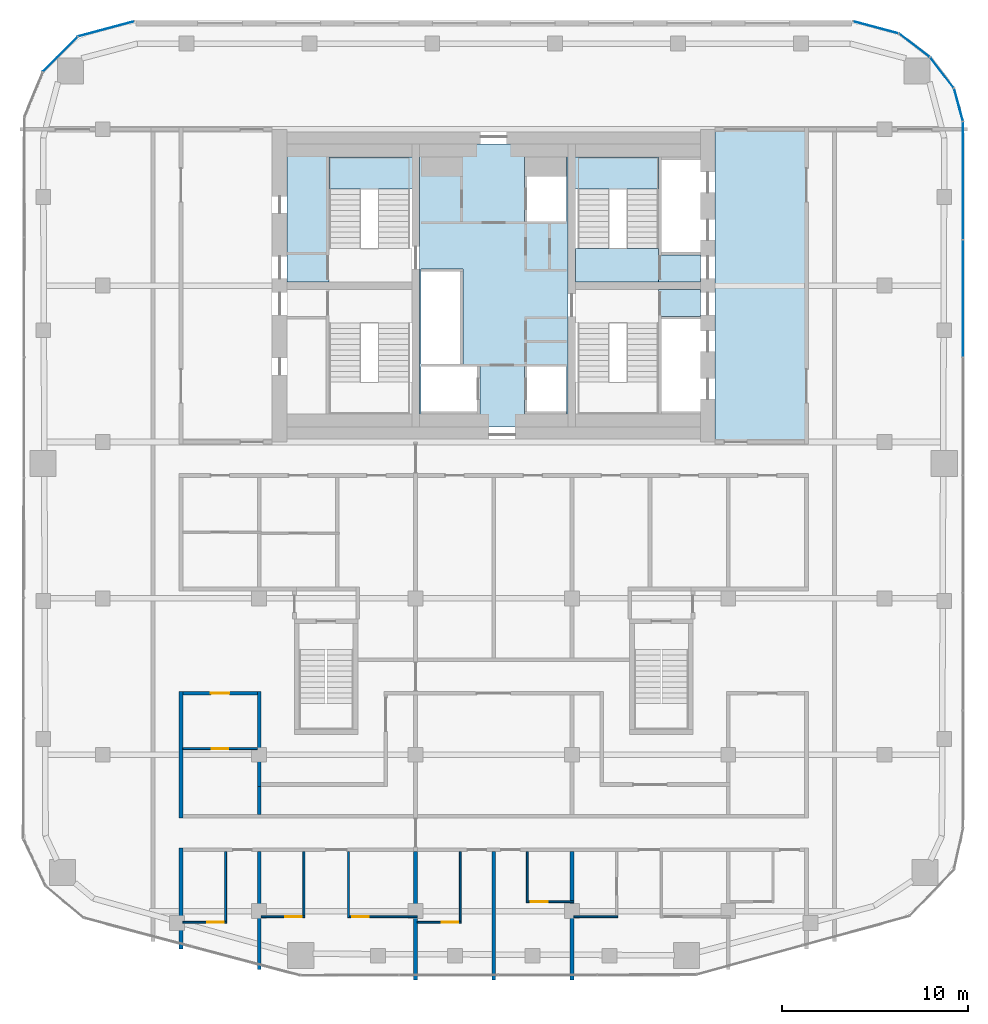
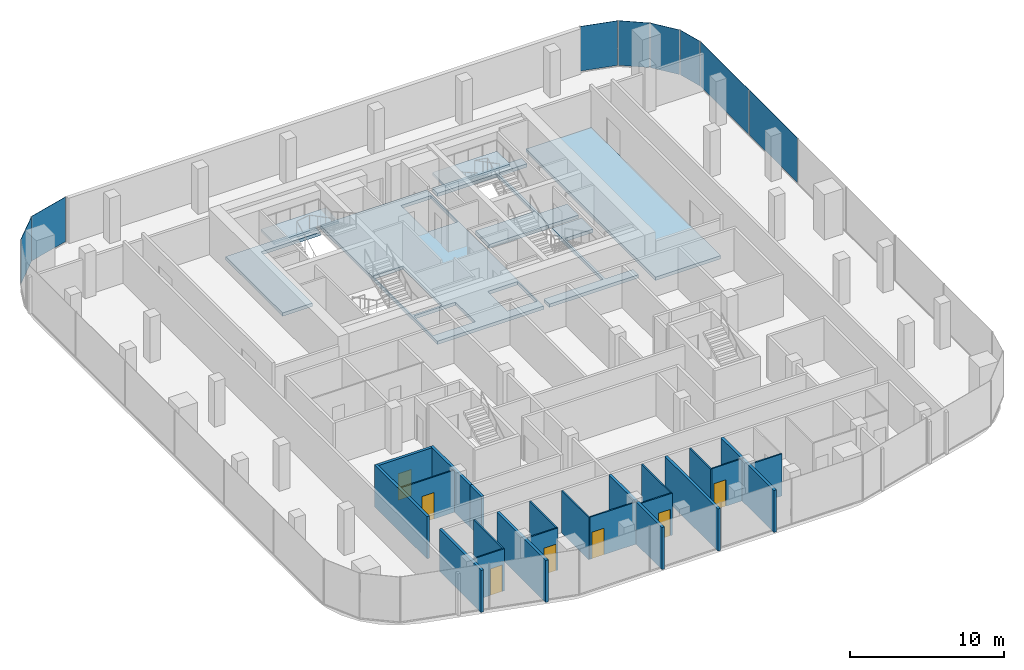
# One storey, part 13 of 20: 21 walls, 8 plates, 8 slabs, 7 doors, 7 openings, 9 elements without a shape of their own.
"""IFC4 building model written with IfcOpenShell, lengths in metres."""

from ifc_helpers import new_model, si_unit, direction, frame, frame_2d, origin, origin_2d, place, context, subcontext, project, spatial, polyline, rectangle, outline, extrude, material, layer, layer_set, type_object, element, fill, aggregate, save


model = new_model("IFC4")

# Units and contexts
model_context = context("Model", 3, precision=1e-05, world=origin(), true_north=direction((0.0, 1.0)))
body_context = subcontext(model_context, "Body", "Model", "MODEL_VIEW")
ifc_project = project(units=[si_unit("LENGTHUNIT", "METRE"), si_unit("AREAUNIT", "SQUARE_METRE"), si_unit("VOLUMEUNIT", "CUBIC_METRE"), si_unit("PLANEANGLEUNIT", "RADIAN"), si_unit("MASSUNIT", "GRAM", prefix="KILO")], contexts=[model_context])

# Site, building, storey
site_placement = place(None, origin())
site = spatial("IfcSite", under=ifc_project, at=site_placement, CompositionType="ELEMENT")
building_placement = place(site_placement, origin())
building = spatial("IfcBuilding", under=site, at=building_placement, Name="Marenta Gate Hotel Tower", CompositionType="ELEMENT")
storey_placement = place(building_placement, frame((0.0, 0.0, 216.5)))
storey = spatial("IfcBuildingStorey", under=building, at=storey_placement, Name="L50", CompositionType="ELEMENT", Elevation=216.5)

# Slabs
ifc_material_1 = material(Name="Concrete C40", Category="concrete")
ifc_layer_1 = layer(ifc_material_1, 0.260009765625)
ifc_layer_set_1 = layer_set([ifc_layer_1], Name="Concrete C40")
slab_type_1 = type_object("IfcSlabType", Name="Core floor slab 260", PredefinedType="FLOOR", material=ifc_layer_set_1)
slab_1_placement = place(storey_placement, frame((0.0, 0.0, -0.260009765625)))
element("IfcSlab", 1, at=slab_1_placement, inside=storey, type_object=slab_type_1, Name="L50-CF-1", PredefinedType="FLOOR", context=body_context, shape_type="SweptSolid", body=[
    extrude(outline(polyline([(11.89990234375, 0.0), (11.89990234375, 16.800048828125), (16.800048828125, 16.800048828125), (16.800048828125, 0.0), (11.89990234375, 0.0)])), origin(), (0.0, 0.0, 1.0), 0.260009765625),
])
slab_2_placement = place(storey_placement, frame((0.0, 0.0, -0.260009765625)))
element("IfcSlab", 2, at=slab_2_placement, inside=storey, type_object=slab_type_1, Name="L50-CF-2", PredefinedType="FLOOR", context=body_context, shape_type="SweptSolid", body=[
    extrude(outline(polyline([(8.85009765625, 1.5), (8.85009765625, 6.39990234375), (8.85009765625, 8.10009765625), (8.85009765625, 8.199951171875), (11.10009765625, 8.199951171875), (11.10009765625, 6.75), (9.0, 6.75), (9.0, 6.60009765625), (9.0, 4.199951171875), (9.0, 4.050048828125), (9.0, 1.64990234375), (9.0, 1.5), (11.10009765625, 1.5), (11.10009765625, 0.800048828125), (4.39990234375, 0.800048828125), (4.39990234375, 1.5), (8.85009765625, 1.5)])), origin(), (0.0, 0.0, 1.0), 0.260009765625),
])
slab_3_placement = place(storey_placement, frame((0.0, 0.0, -0.260009765625)))
element("IfcSlab", 3, at=slab_3_placement, inside=storey, type_object=slab_type_1, Name="L50-CF-3", PredefinedType="FLOOR", context=body_context, shape_type="SweptSolid", body=[
    extrude(outline(polyline([(8.85009765625, 15.300048828125), (4.39990234375, 15.300048828125), (4.39990234375, 16.0), (11.10009765625, 16.0), (11.10009765625, 15.300048828125), (9.0, 15.300048828125), (9.0, 15.14990234375), (9.0, 12.75), (9.0, 12.60009765625), (9.0, 10.199951171875), (9.0, 10.050048828125), (11.10009765625, 10.050048828125), (11.10009765625, 8.60009765625), (8.85009765625, 8.60009765625), (8.85009765625, 8.699951171875), (8.85009765625, 10.39990234375), (8.85009765625, 15.300048828125)])), origin(), (0.0, 0.0, 1.0), 0.260009765625),
])
slab_4_placement = place(storey_placement, frame((0.0, 0.0, -0.260009765625)))
element("IfcSlab", 4, at=slab_4_placement, inside=storey, type_object=slab_type_1, Name="L50-CF-4", PredefinedType="FLOOR", context=body_context, shape_type="SweptSolid", body=[
    extrude(outline(polyline([(4.0, 15.300048828125), (4.0, 10.39990234375), (4.0, 6.39990234375), (4.0, 1.5), (4.0, 0.800048828125), (-4.0, 0.800048828125), (-4.0, 1.5), (-4.0, 6.39990234375), (-4.0, 10.39990234375), (-4.0, 15.300048828125), (-4.0, 16.0), (4.0, 16.0), (4.0, 15.300048828125)]), holes=[polyline([(1.64990234375, 14.25), (1.64990234375, 11.85009765625), (1.800048828125, 11.85009765625), (3.89990234375, 11.85009765625), (3.89990234375, 14.25), (3.89990234375, 15.300048828125), (1.64990234375, 15.300048828125), (1.64990234375, 14.25)]), polyline([(3.89990234375, 1.64990234375), (3.89990234375, 4.050048828125), (1.800048828125, 4.050048828125), (1.64990234375, 4.050048828125), (1.64990234375, 1.64990234375), (1.64990234375, 1.5), (3.89990234375, 1.5), (3.89990234375, 1.64990234375)]), polyline([(-3.89990234375, 1.64990234375), (-3.89990234375, 1.5), (-0.89990234375, 1.5), (-0.75, 1.5), (-0.75, 4.050048828125), (-0.89990234375, 4.050048828125), (-3.89990234375, 4.050048828125), (-3.89990234375, 1.64990234375)]), polyline([(-1.800048828125, 4.199951171875), (-1.64990234375, 4.199951171875), (-1.64990234375, 9.14990234375), (-1.64990234375, 9.300048828125), (-3.89990234375, 9.300048828125), (-3.89990234375, 9.14990234375), (-3.89990234375, 6.75), (-3.89990234375, 6.60009765625), (-3.89990234375, 4.199951171875), (-1.800048828125, 4.199951171875)])]), origin(), (0.0, 0.0, 1.0), 0.260009765625),
])
slab_5_placement = place(storey_placement, frame((0.0, 0.0, -0.260009765625)))
element("IfcSlab", 5, at=slab_5_placement, inside=storey, type_object=slab_type_1, Name="L50-CF-6", PredefinedType="FLOOR", context=body_context, shape_type="SweptSolid", body=[
    extrude(outline(polyline([(-4.39990234375, 15.300048828125), (-8.85009765625, 15.300048828125), (-8.85009765625, 10.39990234375), (-8.85009765625, 8.699951171875), (-8.85009765625, 8.60009765625), (-11.10009765625, 8.60009765625), (-11.10009765625, 16.0), (-4.39990234375, 16.0), (-4.39990234375, 15.300048828125)])), origin(), (0.0, 0.0, 1.0), 0.260009765625),
])

# Stair, slab
ifc_material_2 = material(Name="Concrete C40", Category="concrete")
stair_type = type_object("IfcStairType", Name="Core exit stair 1700 wide", PredefinedType="HALF_TURN_STAIR", material=ifc_material_2)
stair_1_placement = place(storey_placement, origin())
stair_1 = element("IfcStair", 6, at=stair_1_placement, inside=storey, type_object=stair_type, Name="Exit stair 2", PredefinedType="HALF_TURN_STAIR")
ifc_material_3 = material(Name="Concrete C40", Category="concrete")
ifc_layer_2 = layer(ifc_material_3, 0.199951171875)
ifc_layer_set_2 = layer_set([ifc_layer_2], Name="Concrete C40")
slab_type_2 = type_object("IfcSlabType", Name="Core stair landing 200", PredefinedType="LANDING", material=ifc_layer_set_2)
slab_6_placement = place(storey_placement, frame((0.0, 0.0, 1.60009765625)))
slab_6 = element("IfcSlab", 7, at=slab_6_placement, type_object=slab_type_2, Name="SL-200 ST2 landing 1", PredefinedType="LANDING", context=body_context, shape_type="SweptSolid", body=[
    extrude(outline(polyline([(-8.85009765625, 13.590087890625), (-4.0, 13.590087890625), (-4.0, 15.300048828125), (-8.85009765625, 15.300048828125), (-8.85009765625, 13.590087890625)])), origin(), (0.0, 0.0, 1.0), 0.199951171875),
])
aggregate(stair_1, [slab_6])

stair_2_placement = place(storey_placement, origin())
stair_2 = element("IfcStair", 8, at=stair_2_placement, inside=storey, type_object=stair_type, Name="Exit stair 4", PredefinedType="HALF_TURN_STAIR")
slab_7_placement = place(storey_placement, frame((0.0, 0.0, 1.60009765625)))
slab_7 = element("IfcSlab", 9, at=slab_7_placement, type_object=slab_type_2, Name="SL-200 ST4 landing 1", PredefinedType="LANDING", context=body_context, shape_type="SweptSolid", body=[
    extrude(outline(polyline([(4.0, 13.590087890625), (8.85009765625, 13.590087890625), (8.85009765625, 15.300048828125), (4.0, 15.300048828125), (4.0, 13.590087890625)])), origin(), (0.0, 0.0, 1.0), 0.199951171875),
])
aggregate(stair_2, [slab_7])

# Curtain wall, plate
ifc_material_4 = material(Name="Tinted insulated glass in bronze anodised frame", Category="glass")
ifc_layer_3 = layer(ifc_material_4, 0.1201171875)
ifc_layer_set_3 = layer_set([ifc_layer_3], Name="Tinted insulated glass in bronze anodised frame")
curtain_wall_type = type_object("IfcCurtainWallType", Name="Tower unitised curtain wall CW1", PredefinedType="NOTDEFINED", material=ifc_layer_set_3)
curtain_wall_1_placement = place(storey_placement, origin())
curtain_wall_1 = element("IfcCurtainWall", 10, at=curtain_wall_1_placement, inside=storey, type_object=curtain_wall_type, Name="CW1 run G00", PredefinedType="NOTDEFINED")
ifc_material_5 = material(Name="Tinted insulated glass", Category="glass")
ifc_layer_4 = layer(ifc_material_5, 0.028076171875)
ifc_layer_set_4 = layer_set([ifc_layer_4], Name="Tinted insulated glass")
plate_type = type_object("IfcPlateType", Name="Glass panel CW1 28 mm tinted insulated unit", PredefinedType="CURTAIN_PANEL", material=ifc_layer_set_4)
plate_1_placement = place(storey_placement, frame((-20.813720703125, 22.19384765625, 0.06005859375), z_axis=(0.0, 0.0, 1.0), x_axis=(-0.965930559685, -0.258801379183, 0.0)))
plate_1 = element("IfcPlate", 11, at=plate_1_placement, type_object=plate_type, Name="CW1 panel 1.1", PredefinedType="CURTAIN_PANEL", context=body_context, shape_type="SweptSolid", body=[
    extrude(rectangle(XDim=3.104248046875, YDim=0.028076171875, at=origin_2d()), origin(), (0.0, 0.0, 1.0), 3.5400390625),
])
aggregate(curtain_wall_1, [plate_1])

curtain_wall_2_placement = place(storey_placement, origin())
curtain_wall_2 = element("IfcCurtainWall", 12, at=curtain_wall_2_placement, inside=storey, type_object=curtain_wall_type, Name="CW1 run G01", PredefinedType="NOTDEFINED")
plate_2_placement = place(storey_placement, frame((-23.279541015625, 20.825439453125, 0.06005859375), z_axis=(0.0, 0.0, 1.0), x_axis=(-0.707106781187, -0.707106781187, 0.0)))
plate_2 = element("IfcPlate", 13, at=plate_2_placement, type_object=plate_type, Name="CW1 panel 1.1", PredefinedType="CURTAIN_PANEL", context=body_context, shape_type="SweptSolid", body=[
    extrude(rectangle(XDim=2.614013671875, YDim=0.028076171875, at=origin_2d()), origin(), (0.0, 0.0, 1.0), 3.5400390625),
])
aggregate(curtain_wall_2, [plate_2])

# Curtain wall, plates
curtain_wall_3_placement = place(storey_placement, origin())
curtain_wall_3 = element("IfcCurtainWall", 14, at=curtain_wall_3_placement, inside=storey, type_object=curtain_wall_type, Name="CW1 run G11", PredefinedType="NOTDEFINED")
plate_3_placement = place(storey_placement, frame((25.214111328125, 7.7080078125, 0.06005859375), z_axis=(0.0, 0.0, 1.0), x_axis=(0.0, 1.0, 0.0)))
plate_3 = element("IfcPlate", 15, at=plate_3_placement, type_object=plate_type, Name="CW1 panel 5.1", PredefinedType="CURTAIN_PANEL", context=body_context, shape_type="SweptSolid", body=[
    extrude(rectangle(XDim=6.2626953125, YDim=0.028076171875, at=origin_2d()), origin(), (0.0, 0.0, 1.0), 3.5400390625),
])
plate_4_placement = place(storey_placement, frame((25.214111328125, 14.045654296875, 0.06005859375), z_axis=(0.0, 0.0, 1.0), x_axis=(0.0, 1.0, 0.0)))
plate_4 = element("IfcPlate", 16, at=plate_4_placement, type_object=plate_type, Name="CW1 panel 6.1", PredefinedType="CURTAIN_PANEL", context=body_context, shape_type="SweptSolid", body=[
    extrude(rectangle(XDim=6.29248046875, YDim=0.028076171875, at=origin_2d()), origin(), (0.0, 0.0, 1.0), 3.5400390625),
])
aggregate(curtain_wall_3, [plate_3, plate_4])

# Curtain wall, plate
curtain_wall_4_placement = place(storey_placement, origin())
curtain_wall_4 = element("IfcCurtainWall", 17, at=curtain_wall_4_placement, inside=storey, type_object=curtain_wall_type, Name="CW1 run G12", PredefinedType="NOTDEFINED")
plate_5_placement = place(storey_placement, frame((24.96630859375, 18.1162109375, 0.06005859375), z_axis=(0.0, 0.0, 1.0), x_axis=(-0.258824166754, 0.965924453932, 0.0)))
plate_5 = element("IfcPlate", 18, at=plate_5_placement, type_object=plate_type, Name="CW1 panel 1.1", PredefinedType="CURTAIN_PANEL", context=body_context, shape_type="SweptSolid", body=[
    extrude(rectangle(XDim=1.793701171875, YDim=0.028076171875, at=origin_2d()), origin(), (0.0, 0.0, 1.0), 3.5400390625),
])
aggregate(curtain_wall_4, [plate_5])

curtain_wall_5_placement = place(storey_placement, origin())
curtain_wall_5 = element("IfcCurtainWall", 19, at=curtain_wall_5_placement, inside=storey, type_object=curtain_wall_type, Name="CW1 run G13", PredefinedType="NOTDEFINED")
plate_6_placement = place(storey_placement, frame((24.0751953125, 19.84130859375, 0.06005859375), z_axis=(0.0, 0.0, 1.0), x_axis=(-0.608787499222, 0.793333335233, 0.0)))
plate_6 = element("IfcPlate", 20, at=plate_6_placement, type_object=plate_type, Name="CW1 panel 1.1", PredefinedType="CURTAIN_PANEL", context=body_context, shape_type="SweptSolid", body=[
    extrude(rectangle(XDim=2.045166015625, YDim=0.028076171875, at=origin_2d()), origin(), (0.0, 0.0, 1.0), 3.5400390625),
])
aggregate(curtain_wall_5, [plate_6])

curtain_wall_6_placement = place(storey_placement, origin())
curtain_wall_6 = element("IfcCurtainWall", 21, at=curtain_wall_6_placement, inside=storey, type_object=curtain_wall_type, Name="CW1 run G14", PredefinedType="NOTDEFINED")
plate_7_placement = place(storey_placement, frame((22.59375, 21.311767578125, 0.06005859375), z_axis=(0.0, 0.0, 1.0), x_axis=(-0.793333335233, 0.608787499222, 0.0)))
plate_7 = element("IfcPlate", 22, at=plate_7_placement, type_object=plate_type, Name="CW1 panel 1.1", PredefinedType="CURTAIN_PANEL", context=body_context, shape_type="SweptSolid", body=[
    extrude(rectangle(XDim=2.045166015625, YDim=0.028076171875, at=origin_2d()), origin(), (0.0, 0.0, 1.0), 3.5400390625),
])
aggregate(curtain_wall_6, [plate_7])

curtain_wall_7_placement = place(storey_placement, origin())
curtain_wall_7 = element("IfcCurtainWall", 23, at=curtain_wall_7_placement, inside=storey, type_object=curtain_wall_type, Name="CW1 run G15", PredefinedType="NOTDEFINED")
plate_8_placement = place(storey_placement, frame((20.51953125, 22.272705078125, 0.06005859375), z_axis=(0.0, 0.0, 1.0), x_axis=(-0.96592961764, 0.258804895175, 0.0)))
plate_8 = element("IfcPlate", 24, at=plate_8_placement, type_object=plate_type, Name="CW1 panel 1.1", PredefinedType="CURTAIN_PANEL", context=body_context, shape_type="SweptSolid", body=[
    extrude(rectangle(XDim=2.4951171875, YDim=0.028076171875, at=origin_2d()), origin(), (0.0, 0.0, 1.0), 3.5400390625),
])
aggregate(curtain_wall_7, [plate_8])

# Slab
ifc_material_6 = material(Name="Concrete C40", Category="concrete")
ifc_layer_5 = layer(ifc_material_6, 0.300048828125)
ifc_layer_set_5 = layer_set([ifc_layer_5], Name="Concrete C40")
slab_type_3 = type_object("IfcSlabType", Name="Stair floor landing slab 300", PredefinedType="FLOOR", material=ifc_layer_set_5)
slab_8_placement = place(storey_placement, frame((0.0, 0.0, -0.300048828125)))
element("IfcSlab", 25, at=slab_8_placement, inside=storey, type_object=slab_type_3, Name="L50-CL-ST4-1", PredefinedType="FLOOR", context=body_context, shape_type="SweptSolid", body=[
    extrude(outline(polyline([(4.39990234375, 8.60009765625), (4.39990234375, 10.39990234375), (8.85009765625, 10.39990234375), (8.85009765625, 8.699951171875), (8.85009765625, 8.60009765625), (4.39990234375, 8.60009765625)])), origin(), (0.0, 0.0, 1.0), 0.300048828125),
])

# Wall
ifc_material_7 = material(Name="Concrete blockwork", Category="masonry")
ifc_layer_6 = layer(ifc_material_7, 0.199951171875)
ifc_layer_set_6 = layer_set([ifc_layer_6], Name="Concrete blockwork")
wall_type_1 = type_object("IfcWallType", Name="Compartment wall 200 REI 180", PredefinedType="PARTITIONING", material=ifc_layer_set_6)
wall_1_placement = place(storey_placement, frame((-4.199951171875, -28.89990234375, 0.0), z_axis=(0.0, 0.0, 1.0), x_axis=(0.0, 1.0, 0.0)))
element("IfcWall", 26, at=wall_1_placement, inside=storey, type_object=wall_type_1, Name="L50-PTN-W047", PredefinedType="PARTITIONING", context=body_context, shape_type="SweptSolid", body=[
    extrude(rectangle(XDim=6.89990234375, YDim=0.199951171875, at=frame_2d((3.449951171875, 0.0))), origin(), (0.0, 0.0, 1.0), 3.340087890625),
])

# Wall, opening, door
ifc_material_8 = material(Name="Concrete blockwork", Category="masonry")
ifc_layer_7 = layer(ifc_material_8, 0.199951171875)
ifc_layer_set_7 = layer_set([ifc_layer_7], Name="Concrete blockwork")
wall_type_2 = type_object("IfcWallType", Name="Room corridor wall 200 EI 120", PredefinedType="PARTITIONING", material=ifc_layer_set_7)
wall_2_placement = place(storey_placement, frame((-16.699951171875, -13.5, 0.0), z_axis=(0.0, 0.0, 1.0), x_axis=(1.0, 0.0, 0.0)))
wall_2 = element("IfcWall", 27, at=wall_2_placement, inside=storey, type_object=wall_type_2, Name="L50-PTN-W019", PredefinedType="PARTITIONING", context=body_context, shape_type="SweptSolid", body=[
    extrude(rectangle(XDim=4.0, YDim=0.199951171875, at=frame_2d((2.0, 0.0))), origin(), (0.0, 0.0, 1.0), 3.340087890625),
])
opening_1_placement = place(wall_2_placement, frame((1.5, 0.0, 0.0)))
opening_1 = element("IfcOpeningElement", 28, at=opening_1_placement, cuts=wall_2, Name="Opening G18-11", PredefinedType="OPENING", context=body_context, shape_type="SweptSolid", body=[
    extrude(rectangle(XDim=1.0, YDim=2.10009765625, at=frame_2d((0.5, 1.050048828125))), frame((0.0, 0.10009765625, 0.0), z_axis=(0.0, -1.0, 0.0), x_axis=(1.0, 0.0, 0.0)), (0.0, 0.0, 1.0), 0.199951171875),
])
ifc_material_9 = material(Name="Hollow steel door set", Category="steel")
door_type_1 = type_object("IfcDoorType", Name="Room service door 1000x2100 EI 60", OperationType="NOTDEFINED", PredefinedType="DOOR", material=ifc_material_9)
door_1_placement = place(opening_1_placement, origin())
door_1 = element("IfcDoor", 29, at=door_1_placement, inside=storey, type_object=door_type_1, Name="L50-PD-D011", OperationType="SINGLE_SWING_LEFT", OverallHeight=2.10009765625, OverallWidth=1.0, PredefinedType="DOOR", context=body_context, shape_type="SweptSolid", body=[
    extrude(rectangle(XDim=1.0, YDim=2.10009765625, at=frame_2d((0.5, 1.050048828125))), frame((0.0, 0.02490234375, 0.0), z_axis=(0.0, -1.0, 0.0), x_axis=(1.0, 0.0, 0.0)), (0.0, 0.0, 1.0), 0.050048828125),
])
fill(opening_1, door_1)

# Walls
wall_3_placement = place(storey_placement, frame((-12.60009765625, -18.5, 0.0), z_axis=(0.0, 0.0, 1.0), x_axis=(0.0, 1.0, 0.0)))
element("IfcWall", 30, at=wall_3_placement, inside=storey, type_object=wall_type_2, Name="L50-PTN-W059", PredefinedType="PARTITIONING", context=body_context, shape_type="SweptSolid", body=[
    extrude(rectangle(XDim=5.10009765625, YDim=0.199951171875, at=frame_2d((2.550048828125, 0.0))), origin(), (0.0, 0.0, 1.0), 3.340087890625),
])
wall_4_placement = place(storey_placement, frame((-16.800048828125, -20.199951171875, 0.0), z_axis=(0.0, 0.0, 1.0), x_axis=(0.0, 1.0, 0.0)))
element("IfcWall", 31, at=wall_4_placement, inside=storey, type_object=wall_type_2, Name="L50-PTN-W062", PredefinedType="PARTITIONING", context=body_context, shape_type="SweptSolid", body=[
    extrude(rectangle(XDim=6.800048828125, YDim=0.199951171875, at=frame_2d((3.39990234375, 0.0))), origin(), (0.0, 0.0, 1.0), 3.340087890625),
])
ifc_material_10 = material(Name="Gypsum board on steel stud", Category="steel")
ifc_layer_8 = layer(ifc_material_10, 0.199951171875)
ifc_layer_set_8 = layer_set([ifc_layer_8], Name="Gypsum board on steel stud")
wall_type_3 = type_object("IfcWallType", Name="Room corridor wall 200 EI 60", PredefinedType="PARTITIONING", material=ifc_layer_set_8)
wall_5_placement = place(storey_placement, frame((-16.800048828125, -27.22900390625, 0.0), z_axis=(0.0, 0.0, 1.0), x_axis=(0.0, 1.0, 0.0)))
element("IfcWall", 32, at=wall_5_placement, inside=storey, type_object=wall_type_3, Name="L50-PTN-W061", PredefinedType="PARTITIONING", context=body_context, shape_type="SweptSolid", body=[
    extrude(rectangle(XDim=5.428955078125, YDim=0.199951171875, at=frame_2d((2.71435546875, 0.0))), origin(), (0.0, 0.0, 1.0), 3.340087890625),
])

# Wall, opening, door
ifc_material_11 = material(Name="Gypsum board on steel stud", Category="steel")
ifc_layer_9 = layer(ifc_material_11, 0.10009765625)
ifc_layer_set_9 = layer_set([ifc_layer_9], Name="Gypsum board on steel stud")
wall_type_4 = type_object("IfcWallType", Name="Room partition 100", PredefinedType="PARTITIONING", material=ifc_layer_set_9)
wall_6_placement = place(storey_placement, frame((-16.699951171875, -25.800048828125, 0.0), z_axis=(0.0, 0.0, 1.0), x_axis=(1.0, 0.0, 0.0)))
wall_6 = element("IfcWall", 33, at=wall_6_placement, inside=storey, type_object=wall_type_4, Name="L50-PTN-W001", PredefinedType="PARTITIONING", context=body_context, shape_type="SweptSolid", body=[
    extrude(rectangle(XDim=2.349853515625, YDim=0.10009765625, at=frame_2d((1.1748046875, 0.0))), origin(), (0.0, 0.0, 1.0), 3.340087890625),
])
opening_2_placement = place(wall_6_placement, frame((1.300048828125, 0.0, 0.0)))
opening_2 = element("IfcOpeningElement", 34, at=opening_2_placement, cuts=wall_6, Name="Opening G18-18", PredefinedType="OPENING", context=body_context, shape_type="SweptSolid", body=[
    extrude(rectangle(XDim=0.89990234375, YDim=2.10009765625, at=frame_2d((0.449951171875, 1.050048828125))), frame((0.0, 0.050048828125, 0.0), z_axis=(0.0, -1.0, 0.0), x_axis=(1.0, 0.0, 0.0)), (0.0, 0.0, 1.0), 0.10009765625),
])
ifc_material_12 = material(Name="Timber door leaf", Category="wood")
door_type_2 = type_object("IfcDoorType", Name="Guest bathroom door 900x2100", OperationType="NOTDEFINED", PredefinedType="DOOR", material=ifc_material_12)
door_2_placement = place(opening_2_placement, origin())
door_2 = element("IfcDoor", 35, at=door_2_placement, inside=storey, type_object=door_type_2, Name="L50-PD-D018", OperationType="SINGLE_SWING_RIGHT", OverallHeight=2.10009765625, OverallWidth=0.89990234375, PredefinedType="DOOR", context=body_context, shape_type="SweptSolid", body=[
    extrude(rectangle(XDim=0.89990234375, YDim=2.10009765625, at=frame_2d((0.449951171875, 1.050048828125))), frame((0.0, 0.02490234375, 0.0), z_axis=(0.0, -1.0, 0.0), x_axis=(1.0, 0.0, 0.0)), (0.0, 0.0, 1.0), 0.050048828125),
])
fill(opening_2, door_2)

wall_7_placement = place(storey_placement, frame((-4.10009765625, -25.800048828125, 0.0), z_axis=(0.0, 0.0, 1.0), x_axis=(1.0, 0.0, 0.0)))
wall_7 = element("IfcWall", 36, at=wall_7_placement, inside=storey, type_object=wall_type_4, Name="L50-PTN-W002", PredefinedType="PARTITIONING", context=body_context, shape_type="SweptSolid", body=[
    extrude(rectangle(XDim=2.35009765625, YDim=0.10009765625, at=frame_2d((1.175048828125, 0.0))), origin(), (0.0, 0.0, 1.0), 3.340087890625),
])
opening_3_placement = place(wall_7_placement, frame((1.300048828125, 0.0, 0.0)))
opening_3 = element("IfcOpeningElement", 37, at=opening_3_placement, cuts=wall_7, Name="Opening G18-23", PredefinedType="OPENING", context=body_context, shape_type="SweptSolid", body=[
    extrude(rectangle(XDim=0.89990234375, YDim=2.10009765625, at=frame_2d((0.449951171875, 1.050048828125))), frame((0.0, 0.050048828125, 0.0), z_axis=(0.0, -1.0, 0.0), x_axis=(1.0, 0.0, 0.0)), (0.0, 0.0, 1.0), 0.10009765625),
])
door_3_placement = place(opening_3_placement, origin())
door_3 = element("IfcDoor", 38, at=door_3_placement, inside=storey, type_object=door_type_2, Name="L50-PD-D023", OperationType="SINGLE_SWING_RIGHT", OverallHeight=2.10009765625, OverallWidth=0.89990234375, PredefinedType="DOOR", context=body_context, shape_type="SweptSolid", body=[
    extrude(rectangle(XDim=0.89990234375, YDim=2.10009765625, at=frame_2d((0.449951171875, 1.050048828125))), frame((0.0, 0.02490234375, 0.0), z_axis=(0.0, -1.0, 0.0), x_axis=(1.0, 0.0, 0.0)), (0.0, 0.0, 1.0), 0.050048828125),
])
fill(opening_3, door_3)

wall_8_placement = place(storey_placement, frame((-12.5, -25.5, 0.0), z_axis=(0.0, 0.0, 1.0), x_axis=(1.0, 0.0, 0.0)))
wall_8 = element("IfcWall", 39, at=wall_8_placement, inside=storey, type_object=wall_type_4, Name="L50-PTN-W003", PredefinedType="PARTITIONING", context=body_context, shape_type="SweptSolid", body=[
    extrude(rectangle(XDim=2.35009765625, YDim=0.10009765625, at=frame_2d((1.175048828125, 0.0))), origin(), (0.0, 0.0, 1.0), 3.340087890625),
])
opening_4_placement = place(wall_8_placement, frame((1.300048828125, 0.0, 0.0)))
opening_4 = element("IfcOpeningElement", 40, at=opening_4_placement, cuts=wall_8, Name="Opening G18-21", PredefinedType="OPENING", context=body_context, shape_type="SweptSolid", body=[
    extrude(rectangle(XDim=0.89990234375, YDim=2.10009765625, at=frame_2d((0.449951171875, 1.050048828125))), frame((0.0, 0.050048828125, 0.0), z_axis=(0.0, -1.0, 0.0), x_axis=(1.0, 0.0, 0.0)), (0.0, 0.0, 1.0), 0.10009765625),
])
ifc_material_13 = material(Name="Timber door leaf", Category="wood")
door_type_3 = type_object("IfcDoorType", Name="Room inner door 900x2100", OperationType="NOTDEFINED", PredefinedType="DOOR", material=ifc_material_13)
door_4_placement = place(opening_4_placement, origin())
door_4 = element("IfcDoor", 41, at=door_4_placement, inside=storey, type_object=door_type_3, Name="L50-PD-D021", OperationType="SINGLE_SWING_RIGHT", OverallHeight=2.10009765625, OverallWidth=0.89990234375, PredefinedType="DOOR", context=body_context, shape_type="SweptSolid", body=[
    extrude(rectangle(XDim=0.89990234375, YDim=2.10009765625, at=frame_2d((0.449951171875, 1.050048828125))), frame((0.0, 0.02490234375, 0.0), z_axis=(0.0, -1.0, 0.0), x_axis=(1.0, 0.0, 0.0)), (0.0, 0.0, 1.0), 0.050048828125),
])
fill(opening_4, door_4)

wall_9_placement = place(storey_placement, frame((-7.75, -25.5, 0.0), z_axis=(0.0, 0.0, 1.0), x_axis=(1.0, 0.0, 0.0)))
wall_9 = element("IfcWall", 42, at=wall_9_placement, inside=storey, type_object=wall_type_4, Name="L50-PTN-W004", PredefinedType="PARTITIONING", context=body_context, shape_type="SweptSolid", body=[
    extrude(rectangle(XDim=3.64990234375, YDim=0.10009765625, at=frame_2d((1.824951171875, 0.0))), origin(), (0.0, 0.0, 1.0), 3.340087890625),
])
opening_5_placement = place(wall_9_placement, frame((0.14990234375, 0.0, 0.0)))
opening_5 = element("IfcOpeningElement", 43, at=opening_5_placement, cuts=wall_9, Name="Opening G18-20", PredefinedType="OPENING", context=body_context, shape_type="SweptSolid", body=[
    extrude(rectangle(XDim=0.89990234375, YDim=2.10009765625, at=frame_2d((0.449951171875, 1.050048828125))), frame((0.0, 0.050048828125, 0.0), z_axis=(0.0, -1.0, 0.0), x_axis=(1.0, 0.0, 0.0)), (0.0, 0.0, 1.0), 0.10009765625),
])
door_5_placement = place(opening_5_placement, origin())
door_5 = element("IfcDoor", 44, at=door_5_placement, inside=storey, type_object=door_type_2, Name="L50-PD-D020", OperationType="SINGLE_SWING_LEFT", OverallHeight=2.10009765625, OverallWidth=0.89990234375, PredefinedType="DOOR", context=body_context, shape_type="SweptSolid", body=[
    extrude(rectangle(XDim=0.89990234375, YDim=2.10009765625, at=frame_2d((0.449951171875, 1.050048828125))), frame((0.0, 0.02490234375, 0.0), z_axis=(0.0, -1.0, 0.0), x_axis=(1.0, 0.0, 0.0)), (0.0, 0.0, 1.0), 0.050048828125),
])
fill(opening_5, door_5)

# Wall
wall_10_placement = place(storey_placement, frame((4.300048828125, -25.5, 0.0), z_axis=(0.0, 0.0, 1.0), x_axis=(1.0, 0.0, 0.0)))
element("IfcWall", 45, at=wall_10_placement, inside=storey, type_object=wall_type_4, Name="L50-PTN-W005", PredefinedType="PARTITIONING", context=body_context, shape_type="SweptSolid", body=[
    extrude(rectangle(XDim=2.349853515625, YDim=0.10009765625, at=frame_2d((1.1748046875, 0.0))), origin(), (0.0, 0.0, 1.0), 3.340087890625),
])

# Wall, opening, door
wall_11_placement = place(storey_placement, frame((1.85009765625, -24.699951171875, 0.0), z_axis=(0.0, 0.0, 1.0), x_axis=(1.0, 0.0, 0.0)))
wall_11 = element("IfcWall", 46, at=wall_11_placement, inside=storey, type_object=wall_type_4, Name="L50-PTN-W007", PredefinedType="PARTITIONING", context=body_context, shape_type="SweptSolid", body=[
    extrude(rectangle(XDim=2.449951171875, YDim=0.10009765625, at=frame_2d((1.22509765625, 0.0))), origin(), (0.0, 0.0, 1.0), 3.340087890625),
])
opening_6_placement = place(wall_11_placement, frame((0.14990234375, 0.0, 0.0)))
opening_6 = element("IfcOpeningElement", 47, at=opening_6_placement, cuts=wall_11, Name="Opening G18-25", PredefinedType="OPENING", context=body_context, shape_type="SweptSolid", body=[
    extrude(rectangle(XDim=0.89990234375, YDim=2.10009765625, at=frame_2d((0.449951171875, 1.050048828125))), frame((0.0, 0.050048828125, 0.0), z_axis=(0.0, -1.0, 0.0), x_axis=(1.0, 0.0, 0.0)), (0.0, 0.0, 1.0), 0.10009765625),
])
door_6_placement = place(opening_6_placement, origin())
door_6 = element("IfcDoor", 48, at=door_6_placement, inside=storey, type_object=door_type_2, Name="L50-PD-D025", OperationType="SINGLE_SWING_LEFT", OverallHeight=2.10009765625, OverallWidth=0.89990234375, PredefinedType="DOOR", context=body_context, shape_type="SweptSolid", body=[
    extrude(rectangle(XDim=0.89990234375, YDim=2.10009765625, at=frame_2d((0.449951171875, 1.050048828125))), frame((0.0, 0.02490234375, 0.0), z_axis=(0.0, -1.0, 0.0), x_axis=(1.0, 0.0, 0.0)), (0.0, 0.0, 1.0), 0.050048828125),
])
fill(opening_6, door_6)

wall_12_placement = place(storey_placement, frame((-16.699951171875, -16.469970703125, 0.0), z_axis=(0.0, 0.0, 1.0), x_axis=(1.0, 0.0, 0.0)))
wall_12 = element("IfcWall", 49, at=wall_12_placement, inside=storey, type_object=wall_type_4, Name="L50-PTN-W017", PredefinedType="PARTITIONING", context=body_context, shape_type="SweptSolid", body=[
    extrude(rectangle(XDim=4.0, YDim=0.10009765625, at=frame_2d((2.0, 0.0))), origin(), (0.0, 0.0, 1.0), 3.340087890625),
])
opening_7_placement = place(wall_12_placement, frame((1.550048828125, 0.0, 0.0)))
opening_7 = element("IfcOpeningElement", 50, at=opening_7_placement, cuts=wall_12, Name="Opening G18-12", PredefinedType="OPENING", context=body_context, shape_type="SweptSolid", body=[
    extrude(rectangle(XDim=0.89990234375, YDim=2.10009765625, at=frame_2d((0.449951171875, 1.050048828125))), frame((0.0, 0.050048828125, 0.0), z_axis=(0.0, -1.0, 0.0), x_axis=(1.0, 0.0, 0.0)), (0.0, 0.0, 1.0), 0.10009765625),
])
door_7_placement = place(opening_7_placement, origin())
door_7 = element("IfcDoor", 51, at=door_7_placement, inside=storey, type_object=door_type_3, Name="L50-PD-D012", OperationType="SINGLE_SWING_LEFT", OverallHeight=2.10009765625, OverallWidth=0.89990234375, PredefinedType="DOOR", context=body_context, shape_type="SweptSolid", body=[
    extrude(rectangle(XDim=0.89990234375, YDim=2.10009765625, at=frame_2d((0.449951171875, 1.050048828125))), frame((0.0, 0.02490234375, 0.0), z_axis=(0.0, -1.0, 0.0), x_axis=(1.0, 0.0, 0.0)), (0.0, 0.0, 1.0), 0.050048828125),
])
fill(opening_7, door_7)

# Walls
wall_13_placement = place(storey_placement, frame((1.800048828125, -24.75, 0.0), z_axis=(0.0, 0.0, 1.0), x_axis=(0.0, 1.0, 0.0)))
element("IfcWall", 52, at=wall_13_placement, inside=storey, type_object=wall_type_4, Name="L50-PTN-W042", PredefinedType="PARTITIONING", context=body_context, shape_type="SweptSolid", body=[
    extrude(rectangle(XDim=2.75, YDim=0.10009765625, at=frame_2d((1.375, 0.0))), origin(), (0.0, 0.0, 1.0), 3.340087890625),
])
wall_14_placement = place(storey_placement, frame((-1.800048828125, -25.75, 0.0), z_axis=(0.0, 0.0, 1.0), x_axis=(0.0, 1.0, 0.0)))
element("IfcWall", 53, at=wall_14_placement, inside=storey, type_object=wall_type_4, Name="L50-PTN-W046", PredefinedType="PARTITIONING", context=body_context, shape_type="SweptSolid", body=[
    extrude(rectangle(XDim=3.75, YDim=0.10009765625, at=frame_2d((1.875, 0.0))), origin(), (0.0, 0.0, 1.0), 3.340087890625),
])
wall_15_placement = place(storey_placement, frame((-7.800048828125, -25.550048828125, 0.0), z_axis=(0.0, 0.0, 1.0), x_axis=(0.0, 1.0, 0.0)))
element("IfcWall", 54, at=wall_15_placement, inside=storey, type_object=wall_type_4, Name="L50-PTN-W052", PredefinedType="PARTITIONING", context=body_context, shape_type="SweptSolid", body=[
    extrude(rectangle(XDim=3.550048828125, YDim=0.10009765625, at=frame_2d((1.77490234375, 0.0))), origin(), (0.0, 0.0, 1.0), 3.340087890625),
])
wall_16_placement = place(storey_placement, frame((-10.199951171875, -25.449951171875, 0.0), z_axis=(0.0, 0.0, 1.0), x_axis=(0.0, 1.0, 0.0)))
element("IfcWall", 55, at=wall_16_placement, inside=storey, type_object=wall_type_4, Name="L50-PTN-W054", PredefinedType="PARTITIONING", context=body_context, shape_type="SweptSolid", body=[
    extrude(rectangle(XDim=3.449951171875, YDim=0.10009765625, at=frame_2d((1.72509765625, 0.0))), origin(), (0.0, 0.0, 1.0), 3.340087890625),
])
wall_17_placement = place(storey_placement, frame((-14.39990234375, -25.75, 0.0), z_axis=(0.0, 0.0, 1.0), x_axis=(0.0, 1.0, 0.0)))
element("IfcWall", 56, at=wall_17_placement, inside=storey, type_object=wall_type_4, Name="L50-PTN-W060", PredefinedType="PARTITIONING", context=body_context, shape_type="SweptSolid", body=[
    extrude(rectangle(XDim=3.75, YDim=0.10009765625, at=frame_2d((1.875, 0.0))), origin(), (0.0, 0.0, 1.0), 3.340087890625),
])
ifc_material_14 = material(Name="Concrete blockwork", Category="masonry")
ifc_layer_10 = layer(ifc_material_14, 0.199951171875)
ifc_layer_set_10 = layer_set([ifc_layer_10], Name="Concrete blockwork")
wall_type_5 = type_object("IfcWallType", Name="Room party wall 200 EI 120", PredefinedType="PARTITIONING", material=ifc_layer_set_10)
wall_18_placement = place(storey_placement, frame((-12.60009765625, -20.0, 0.0), z_axis=(0.0, 0.0, 1.0), x_axis=(0.0, 1.0, 0.0)))
element("IfcWall", 57, at=wall_18_placement, inside=storey, type_object=wall_type_5, Name="L50-PTN-W057", PredefinedType="PARTITIONING", context=body_context, shape_type="SweptSolid", body=[
    extrude(rectangle(XDim=1.5, YDim=0.199951171875, at=frame_2d((0.75, 0.0))), origin(), (0.0, 0.0, 1.0), 3.340087890625),
])
ifc_material_15 = material(Name="Gypsum board on steel stud", Category="steel")
ifc_layer_11 = layer(ifc_material_15, 0.199951171875)
ifc_layer_set_11 = layer_set([ifc_layer_11], Name="Gypsum board on steel stud")
wall_type_6 = type_object("IfcWallType", Name="Room party wall 200 EI 60", PredefinedType="PARTITIONING", material=ifc_layer_set_11)
for number, where, z_axis, x_axis, name in (
    (58, (4.199951171875, -28.89990234375, 0.0), (0.0, 0.0, 1.0), (0.0, 1.0, 0.0), "L50-PTN-W039"),
    (59, (0.0, -28.89990234375, 0.0), (0.0, 0.0, 1.0), (0.0, 1.0, 0.0), "L50-PTN-W044"),
):
    element("IfcWall", number, at=place(storey_placement, frame(where, z_axis=z_axis, x_axis=x_axis)), inside=storey, type_object=wall_type_6, Name=name, PredefinedType="PARTITIONING", context=body_context, shape_type="SweptSolid", body=[
        extrude(rectangle(XDim=6.89990234375, YDim=0.199951171875, at=frame_2d((3.449951171875, 0.0))), origin(), (0.0, 0.0, 1.0), 3.340087890625),
    ])
wall_19_placement = place(storey_placement, frame((-12.60009765625, -28.343017578125, 0.0), z_axis=(0.0, 0.0, 1.0), x_axis=(0.0, 1.0, 0.0)))
element("IfcWall", 60, at=wall_19_placement, inside=storey, type_object=wall_type_6, Name="L50-PTN-W056", PredefinedType="PARTITIONING", context=body_context, shape_type="SweptSolid", body=[
    extrude(rectangle(XDim=6.343017578125, YDim=0.199951171875, at=frame_2d((3.17138671875, 0.0))), origin(), (0.0, 0.0, 1.0), 3.340087890625),
])

save(model, "model.ifc")
